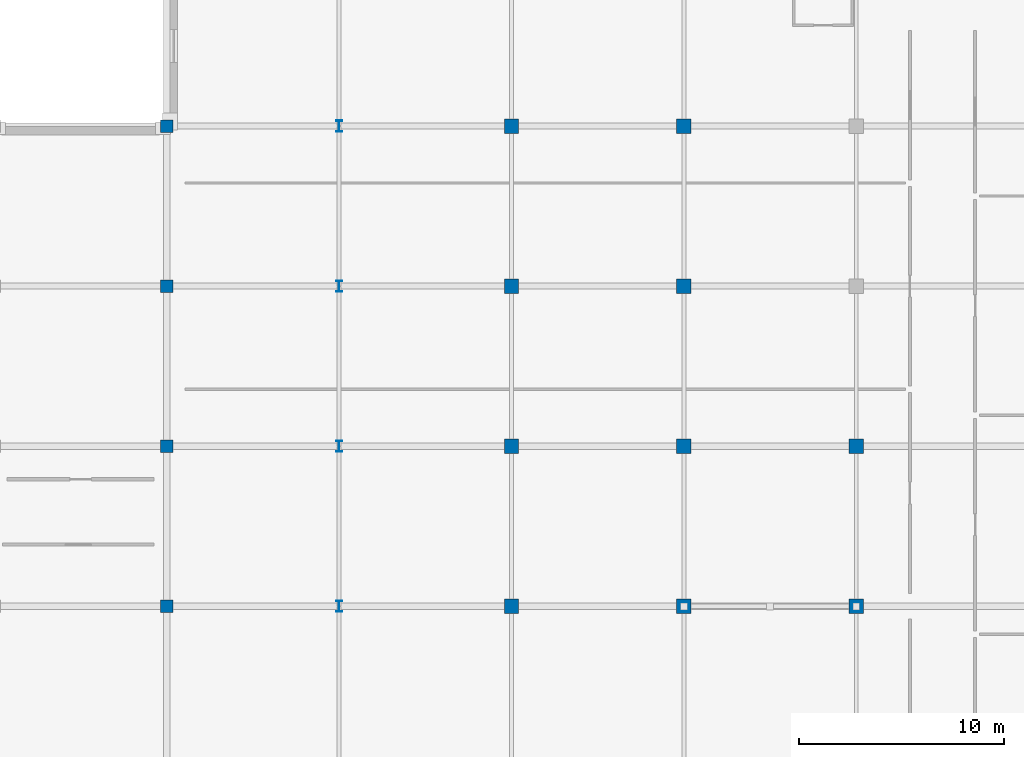
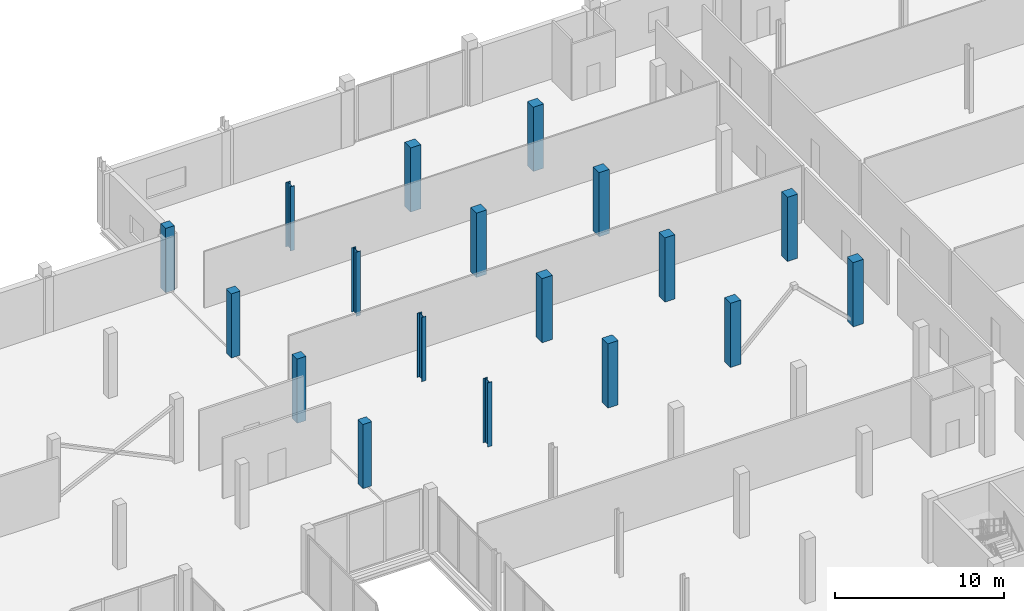
# One storey, part 18 of 98: 18 columns.
"""IFC4 building model written with IfcOpenShell, lengths in metres."""

import ifcopenshell
import ifcopenshell.guid

model = None  # the IFC model being written
_history = None  # IfcOwnerHistory: only IFC2X3 demands one
_inside = {}  # id of a spatial element -> (the spatial element, [elements in it])
_under = {}  # id of a project, library or spatial element -> (it, [spatial elements below it])
_declared = {}  # id of a project -> (the project, [libraries it declares])
_typed = {}  # id of a type object -> (the type object, [elements of that type])
_made_of = {}  # id of a material, layer set ... -> (it, [elements and type objects made of it])


def new_model(schema):
    """Start an empty IFC model of exactly this schema.

    Asked for "IFC4X3", IfcOpenShell would pick the latest addendum, in which some entities
    have other attributes; the version numbers below select the first issue.
    IFC2X3 requires an IfcOwnerHistory on every rooted entity: one is made here for all.
    """
    global model, _history
    if schema == "IFC4X3":
        model = ifcopenshell.file(schema_version=(4, 3, 0, 0))
    else:
        model = ifcopenshell.file(schema=schema)
    _inside.clear()
    _under.clear()
    _declared.clear()
    _typed.clear()
    _made_of.clear()
    _history = None
    if model.schema == "IFC2X3":
        org = make("IfcOrganization", Name="unknown")
        user = make(
            "IfcPersonAndOrganization",
            ThePerson=make("IfcPerson", FamilyName="unknown"),
            TheOrganization=org,
        )
        app = make(
            "IfcApplication",
            ApplicationDeveloper=org,
            Version="unknown",
            ApplicationFullName="unknown",
            ApplicationIdentifier="unknown",
        )
        _history = make(
            "IfcOwnerHistory",
            OwningUser=user,
            OwningApplication=app,
            ChangeAction="ADDED",
            CreationDate=0,
        )
    return model


def make(cls, **values):
    """One entity of the class cls with the attributes given. An attribute that is None is left unset."""
    return model.create_entity(
        cls, **{name: value for name, value in values.items() if value is not None}
    )


def rooted(cls, **values):
    """An entity with a GlobalId (a new one), such as an element, a storey or a relation."""
    return make(cls, GlobalId=ifcopenshell.guid.new(), OwnerHistory=_history, **values)


def si_unit(unit_type, name, prefix=None):
    """IfcSIUnit, for example si_unit("LENGTHUNIT", "METRE", prefix="MILLI")."""
    return make("IfcSIUnit", UnitType=unit_type, Prefix=prefix, Name=name)


def assignment(units):
    """IfcUnitAssignment: the units of a project."""
    return None if units is None else make("IfcUnitAssignment", Units=units)


def point(xyz):
    """IfcCartesianPoint."""
    return None if xyz is None else make("IfcCartesianPoint", Coordinates=xyz)


def direction(xyz):
    """IfcDirection."""
    return None if xyz is None else make("IfcDirection", DirectionRatios=xyz)


def frame(location, z_axis=None, x_axis=None):
    """IfcAxis2Placement3D, a coordinate frame: its origin and axes. An axis left out is left unset."""
    return make(
        "IfcAxis2Placement3D",
        Location=point(location),
        Axis=direction(z_axis),
        RefDirection=direction(x_axis),
    )


def frame_2d(location, x_axis=None):
    """IfcAxis2Placement2D, a coordinate frame in the plane: its origin and x axis."""
    return make(
        "IfcAxis2Placement2D", Location=point(location), RefDirection=direction(x_axis)
    )


def origin():
    """The frame at (0, 0, 0) with its axes left unset."""
    return frame((0.0, 0.0, 0.0))


def origin_2d():
    """The frame at (0, 0) in the plane with its x axis left unset."""
    return frame_2d((0.0, 0.0))


def place(relative_to, where):
    """IfcLocalPlacement: puts the frame where relative to a parent placement (None: the world)."""
    return make(
        "IfcLocalPlacement", PlacementRelTo=relative_to, RelativePlacement=where
    )


def context(
    kind, dimensions, precision=None, world=None, true_north=None, identifier=None
):
    """IfcGeometricRepresentationContext, for example the 3D "Model" context."""
    return make(
        "IfcGeometricRepresentationContext",
        ContextIdentifier=identifier,
        ContextType=kind,
        CoordinateSpaceDimension=dimensions,
        Precision=precision,
        WorldCoordinateSystem=world,
        TrueNorth=true_north,
    )


def subcontext(parent, identifier, kind, view, scale=None):
    """IfcGeometricRepresentationSubContext, for example "Body" below "Model"."""
    return make(
        "IfcGeometricRepresentationSubContext",
        ContextIdentifier=identifier,
        ContextType=kind,
        ParentContext=parent,
        TargetScale=scale,
        TargetView=view,
    )


def project(units=None, contexts=None):
    """IfcProject with its units and contexts."""
    return rooted(
        "IfcProject",
        Name="project",
        RepresentationContexts=contexts,
        UnitsInContext=assignment(units),
    )


def spatial(cls, under=None, at=None, **own):
    """A site, building, storey or space (cls), placed at a placement, below another one or the project."""
    s = rooted(cls, ObjectPlacement=at, **own)
    if under is not None:
        _under.setdefault(under.id(), (under, []))[1].append(s)
    return s


def profile(cls, at=None, kind="AREA", **sizes):
    """A parametric profile (cls). Its sizes go by their IFC names, for example OverallWidth=200.0."""
    return make(cls, ProfileType=kind, Position=at, **sizes)


def rectangle(**sizes):
    """IfcRectangleProfileDef."""
    return profile("IfcRectangleProfileDef", **sizes)


def i_section(**sizes):
    """IfcIShapeProfileDef."""
    return profile("IfcIShapeProfileDef", **sizes)


def extrude(swept, where, along, depth):
    """IfcExtrudedAreaSolid: the profile swept, set in the frame where, extruded along a direction by depth."""
    return make(
        "IfcExtrudedAreaSolid",
        SweptArea=swept,
        Position=where,
        ExtrudedDirection=direction(along),
        Depth=depth,
    )


def shape(context_of_items, identifier, shape_type, items):
    """IfcShapeRepresentation: the items that make up one representation, for example the "Body"."""
    return make(
        "IfcShapeRepresentation",
        ContextOfItems=context_of_items,
        RepresentationIdentifier=identifier,
        RepresentationType=shape_type,
        Items=items,
    )


def material(Name=None, Category=None):
    """IfcMaterial."""
    return make("IfcMaterial", Name=Name, Category=Category)


def material_profile(
    of_material, cross_section, Name=None, Category=None, Priority=None
):
    """IfcMaterialProfile: a cross section and its material."""
    return make(
        "IfcMaterialProfile",
        Name=Name,
        Material=of_material,
        Profile=cross_section,
        Priority=Priority,
        Category=Category,
    )


def profile_set(profiles, Name=None, composite=None):
    """IfcMaterialProfileSet."""
    return make(
        "IfcMaterialProfileSet",
        Name=Name,
        MaterialProfiles=profiles,
        CompositeProfile=composite,
    )


def made_of(thing, what):
    """Note that an element or type object is made of a material, layer set ...; save() writes the relation."""
    if what is not None:
        _made_of.setdefault(what.id(), (what, []))[1].append(thing)
    return thing


def type_object(cls, material=None, **own):
    """A type object (cls), such as IfcWallType, which elements share."""
    return made_of(rooted(cls, **own), material)


def element(
    cls,
    number,
    at=None,
    inside=None,
    cuts=None,
    type_object=None,
    material=None,
    context=None,
    identifier="Body",
    shape_type=None,
    held_by="IfcProductDefinitionShape",
    body=None,
    shapes=None,
    **own,
):
    """One element of the class cls, such as IfcWall. Its Tag is "e" and its number.

    at: its placement. inside: the storey or other place that contains it. cuts: it is an
    opening in that element (IfcRelVoidsElement). A single representation is given by context,
    identifier, shape_type and body (its items); several are given by shapes. held_by: the class
    of the entity that holds the representations. save() writes the other relations.
    """
    e = rooted(cls, Tag="e%d" % number, ObjectPlacement=at, **own)
    if body is not None:
        shapes = [shape(context, identifier, shape_type, body)]
    if shapes is not None:
        e.Representation = make(held_by, Representations=shapes)
    if inside is not None:
        _inside.setdefault(inside.id(), (inside, []))[1].append(e)
    if cuts is not None:
        rooted(
            "IfcRelVoidsElement", RelatingBuildingElement=cuts, RelatedOpeningElement=e
        )
    if type_object is not None:
        _typed.setdefault(type_object.id(), (type_object, []))[1].append(e)
    return made_of(e, material)


def aggregate(whole, parts):
    """IfcRelAggregates: a whole, such as a stair, and the parts it consists of."""
    return rooted("IfcRelAggregates", RelatingObject=whole, RelatedObjects=parts)


def save(model, path):
    """Write the relations noted so far, then the file.

    IfcRelAggregates (storeys below a building ...), IfcRelContainedInSpatialStructure (elements
    in a storey), IfcRelDefinesByType, IfcRelAssociatesMaterial and IfcRelDeclares: one each for
    every whole, place, type object, material and project.
    """
    for whole, parts in _under.values():
        aggregate(whole, parts)
    for where, things in _inside.values():
        rooted(
            "IfcRelContainedInSpatialStructure",
            RelatedElements=things,
            RelatingStructure=where,
        )
    for kind, things in _typed.values():
        rooted("IfcRelDefinesByType", RelatedObjects=things, RelatingType=kind)
    for what, things in _made_of.values():
        rooted("IfcRelAssociatesMaterial", RelatedObjects=things, RelatingMaterial=what)
    for by, libraries in _declared.values():
        rooted("IfcRelDeclares", RelatingContext=by, RelatedDefinitions=libraries)
    model.write(path)


model = new_model("IFC4")

# Units and contexts
model_context = context("Model", 3, precision=1e-05, world=origin(), true_north=direction((0.0, 1.0)))
body_context = subcontext(model_context, "Body", "Model", "MODEL_VIEW")
ifc_project = project(units=[si_unit("LENGTHUNIT", "METRE"), si_unit("AREAUNIT", "SQUARE_METRE"), si_unit("VOLUMEUNIT", "CUBIC_METRE"), si_unit("PLANEANGLEUNIT", "RADIAN"), si_unit("MASSUNIT", "GRAM", prefix="KILO")], contexts=[model_context])

# Site, building, storey
site_placement = place(None, origin())
site = spatial("IfcSite", under=ifc_project, at=site_placement, CompositionType="ELEMENT")
building_placement = place(site_placement, origin())
building = spatial("IfcBuilding", under=site, at=building_placement, Name="Nabrawat Pavilion Hospital", CompositionType="ELEMENT")
storey_placement = place(building_placement, frame((0.0, 0.0, 10.199951171875)))
storey = spatial("IfcBuildingStorey", under=building, at=storey_placement, Name="L02", CompositionType="ELEMENT", Elevation=10.199951171875)

# Columns
ifc_material_1 = material(Name="Steel S355", Category="steel")
ifc_material_profile_1 = material_profile(ifc_material_1, i_section(OverallWidth=0.300048828125, OverallDepth=0.550048828125, WebThickness=0.014892578125, FlangeThickness=0.029052734375, FilletRadius=0.027099609375, at=origin_2d()), Name="HEB 550")
ifc_profile_set_1 = profile_set([ifc_material_profile_1], Name="Steel S355")
column_type_1 = type_object("IfcColumnType", Name="Composite Steel Column HEB 550", PredefinedType="COLUMN", material=ifc_profile_set_1)
for number, where, z_axis, x_axis, name in (
    (1, (134.39990234375, 93.60009765625, 0.0), (0.0, 0.0, 1.0), (1.0, 0.0, 0.0), "L02 Structural Column G-17-N"),
    (2, (134.39990234375, 101.39990234375, 0.0), (0.0, 0.0, 1.0), (1.0, 0.0, 0.0), "L02 Structural Column G-17-P"),
    (3, (134.39990234375, 109.199951171875, 0.0), (0.0, 0.0, 1.0), (1.0, 0.0, 0.0), "L02 Structural Column G-17-Q"),
    (4, (134.39990234375, 117.0, 0.0), (0.0, 0.0, 1.0), (1.0, 0.0, 0.0), "L02 Structural Column G-17-R"),
):
    element("IfcColumn", number, at=place(storey_placement, frame(where, z_axis=z_axis, x_axis=x_axis)), inside=storey, type_object=column_type_1, Name=name, PredefinedType="COLUMN", context=body_context, shape_type="SweptSolid", body=[
        extrude(i_section(OverallWidth=0.300048828125, OverallDepth=0.550048828125, WebThickness=0.014892578125, FlangeThickness=0.029052734375, FilletRadius=0.027099609375, at=origin_2d()), origin(), (0.0, 0.0, 1.0), 4.650146484375),
    ])
ifc_material_2 = material(Name="Concrete C40/50", Category="concrete")
ifc_material_profile_2 = material_profile(ifc_material_2, rectangle(XDim=0.699951171875, YDim=0.699951171875, at=origin_2d()), Name="RC 700x700")
ifc_profile_set_2 = profile_set([ifc_material_profile_2], Name="Concrete C40/50")
column_type_2 = type_object("IfcColumnType", Name="Mid-Tier Ward RC Column 700x700", PredefinedType="COLUMN", material=ifc_profile_set_2)
for number, where, z_axis, x_axis, name in (
    (5, (142.800048828125, 93.60009765625, 0.0), (0.0, 0.0, 1.0), (1.0, 0.0, 0.0), "L02 Structural Column G-18-N"),
    (6, (142.800048828125, 101.39990234375, 0.0), (0.0, 0.0, 1.0), (1.0, 0.0, 0.0), "L02 Structural Column G-18-P"),
    (7, (142.800048828125, 109.199951171875, 0.0), (0.0, 0.0, 1.0), (1.0, 0.0, 0.0), "L02 Structural Column G-18-Q"),
    (8, (142.800048828125, 117.0, 0.0), (0.0, 0.0, 1.0), (1.0, 0.0, 0.0), "L02 Structural Column G-18-R"),
    (9, (151.199951171875, 93.60009765625, 0.0), (0.0, 0.0, 1.0), (1.0, 0.0, 0.0), "L02 Structural Column G-19-N"),
    (10, (151.199951171875, 101.39990234375, 0.0), (0.0, 0.0, 1.0), (1.0, 0.0, 0.0), "L02 Structural Column G-19-P"),
    (11, (151.199951171875, 109.199951171875, 0.0), (0.0, 0.0, 1.0), (1.0, 0.0, 0.0), "L02 Structural Column G-19-Q"),
    (12, (151.199951171875, 117.0, 0.0), (0.0, 0.0, 1.0), (1.0, 0.0, 0.0), "L02 Structural Column G-19-R"),
    (13, (159.60009765625, 93.60009765625, 0.0), (0.0, 0.0, 1.0), (1.0, 0.0, 0.0), "L02 Structural Column G-20-N"),
    (14, (159.60009765625, 101.39990234375, 0.0), (0.0, 0.0, 1.0), (1.0, 0.0, 0.0), "L02 Structural Column G-20-P"),
):
    element("IfcColumn", number, at=place(storey_placement, frame(where, z_axis=z_axis, x_axis=x_axis)), inside=storey, type_object=column_type_2, Name=name, PredefinedType="COLUMN", context=body_context, shape_type="SweptSolid", body=[
        extrude(rectangle(XDim=0.699951171875, YDim=0.699951171875, at=origin_2d()), origin(), (0.0, 0.0, 1.0), 4.650146484375),
    ])
ifc_material_profile_3 = material_profile(ifc_material_2, rectangle(XDim=0.60009765625, YDim=0.60009765625, at=origin_2d()), Name="RC 600x600")
ifc_profile_set_3 = profile_set([ifc_material_profile_3], Name="Concrete C40/50")
column_type_3 = type_object("IfcColumnType", Name="Upper Ward RC Column 600x600", PredefinedType="COLUMN", material=ifc_profile_set_3)
for number, where, z_axis, x_axis, name in (
    (15, (126.0, 93.60009765625, 0.0), (0.0, 0.0, 1.0), (1.0, 0.0, 0.0), "L02 Structural Column G-16A-N"),
    (16, (126.0, 101.39990234375, 0.0), (0.0, 0.0, 1.0), (1.0, 0.0, 0.0), "L02 Structural Column G-16A-P"),
    (17, (126.0, 109.199951171875, 0.0), (0.0, 0.0, 1.0), (1.0, 0.0, 0.0), "L02 Structural Column G-16A-Q"),
    (18, (126.0, 117.0, 0.0), (0.0, 0.0, 1.0), (1.0, 0.0, 0.0), "L02 Structural Column G-16A-R"),
):
    element("IfcColumn", number, at=place(storey_placement, frame(where, z_axis=z_axis, x_axis=x_axis)), inside=storey, type_object=column_type_3, Name=name, PredefinedType="COLUMN", context=body_context, shape_type="SweptSolid", body=[
        extrude(rectangle(XDim=0.60009765625, YDim=0.60009765625, at=origin_2d()), origin(), (0.0, 0.0, 1.0), 4.650146484375),
    ])

save(model, "model.ifc")
